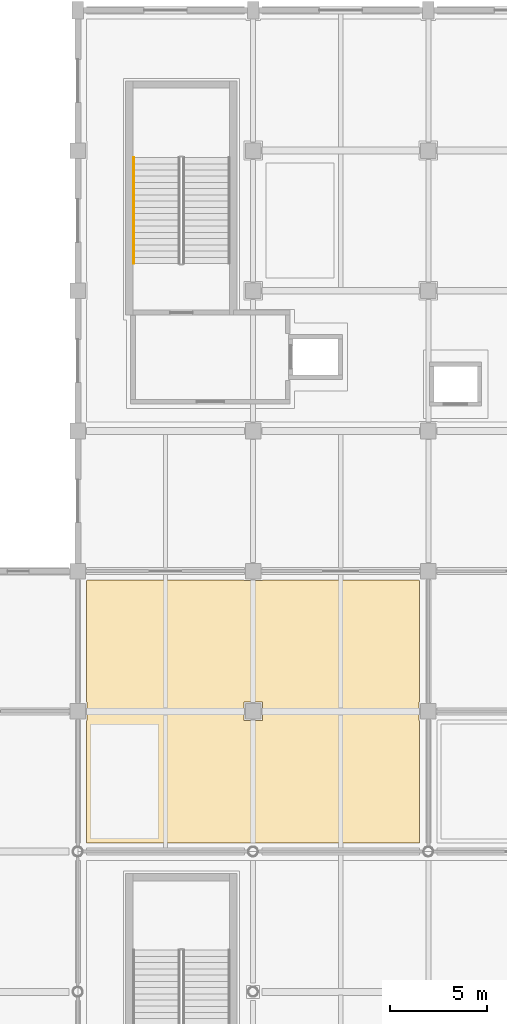
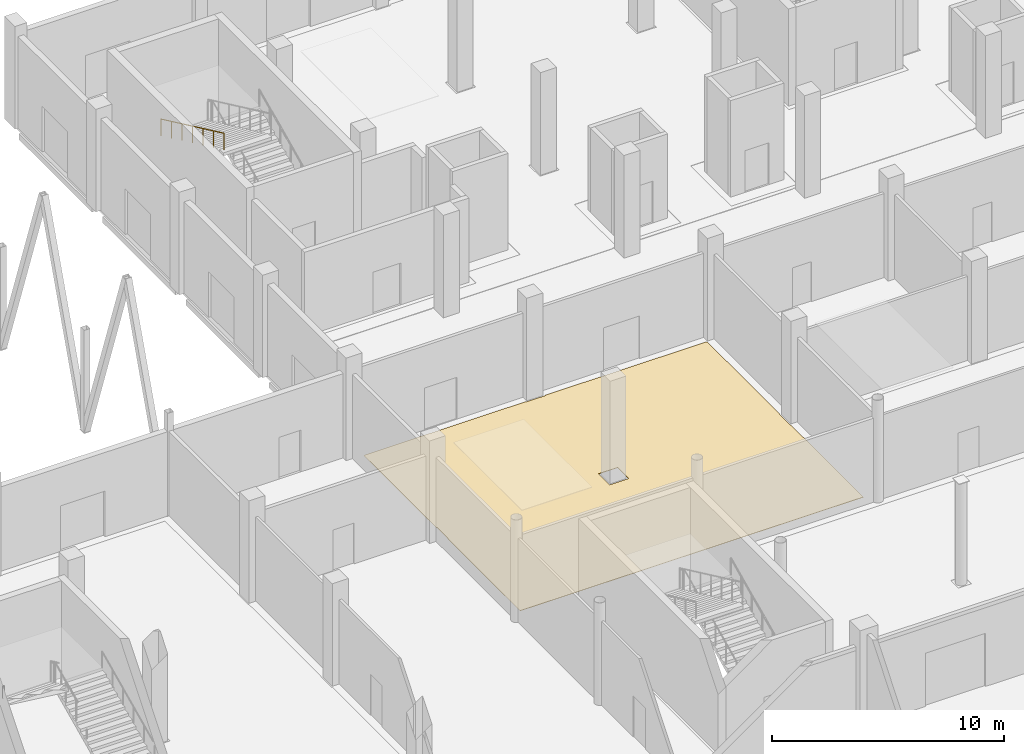
# One storey, part 127 of 137: 1 covering, 1 railing.
"""IFC4 building model written with IfcOpenShell, lengths in metres."""

from ifc_helpers import new_model, si_unit, direction, frame, origin, origin_2d, place, context, subcontext, project, spatial, polyline, circle, outline, extrude, material, layer, layer_set, type_object, element, save


model = new_model("IFC4")

# Units and contexts
model_context = context("Model", 3, precision=1e-05, world=origin(), true_north=direction((0.0, 1.0)))
body_context = subcontext(model_context, "Body", "Model", "MODEL_VIEW")
ifc_project = project(units=[si_unit("LENGTHUNIT", "METRE"), si_unit("AREAUNIT", "SQUARE_METRE"), si_unit("VOLUMEUNIT", "CUBIC_METRE"), si_unit("PLANEANGLEUNIT", "RADIAN"), si_unit("MASSUNIT", "GRAM", prefix="KILO")], contexts=[model_context])

# Site, building, storey
site_placement = place(None, origin())
site = spatial("IfcSite", under=ifc_project, at=site_placement, CompositionType="ELEMENT")
building_placement = place(site_placement, origin())
building = spatial("IfcBuilding", under=site, at=building_placement, Name="Celestram Park Convention Centre", CompositionType="ELEMENT")
storey_placement = place(building_placement, origin())
storey = spatial("IfcBuildingStorey", under=building, at=storey_placement, Name="L00", CompositionType="ELEMENT", Elevation=0.0)

# Covering
ifc_material_1 = material(Name="Polished Lakefront Aggregate Terrazzo Flooring", Category="concrete")
ifc_layer_1 = layer(ifc_material_1, 0.02001953125)
ifc_layer_set_1 = layer_set([ifc_layer_1], Name="Polished Lakefront Aggregate Terrazzo Flooring")
covering_type = type_object("IfcCoveringType", Name="ARC-COV-FLR020", PredefinedType="FLOORING", material=ifc_layer_set_1)
covering_placement = place(storey_placement, origin())
element("IfcCovering", 1, at=covering_placement, inside=storey, type_object=covering_type, Name="Civic Press Briefing Room terrazzo flooring", PredefinedType="FLOORING", context=body_context, shape_type="SweptSolid", body=[
    extrude(outline(polyline([(44.52197265625, 136.35009765625), (44.52197265625, 136.322021484375), (45.47802734375, 136.322021484375), (45.47802734375, 136.35009765625), (53.52197265625, 136.35009765625), (53.52197265625, 136.322021484375), (53.550048828125, 136.322021484375), (53.550048828125, 130.077880859375), (53.52197265625, 130.077880859375), (53.52197265625, 129.1220703125), (53.550048828125, 129.1220703125), (53.550048828125, 122.85009765625), (36.449951171875, 122.85009765625), (36.449951171875, 129.1220703125), (36.47802734375, 129.1220703125), (36.47802734375, 130.077880859375), (36.449951171875, 130.077880859375), (36.449951171875, 136.322021484375), (36.47802734375, 136.322021484375), (36.47802734375, 136.35009765625), (44.52197265625, 136.35009765625)]), holes=[polyline([(45.47802734375, 130.077880859375), (44.52197265625, 130.077880859375), (44.52197265625, 129.1220703125), (45.47802734375, 129.1220703125), (45.47802734375, 130.077880859375)])]), origin(), (0.0, 0.0, 1.0), 0.02001953125),
])

# Railing
ifc_material_2 = material(Name="Brushed Stainless Steel AISI 304", Category="steel")
ifc_layer_2 = layer(ifc_material_2, 0.048095703125)
ifc_layer_set_2 = layer_set([ifc_layer_2], Name="Brushed Stainless Steel AISI 304")
railing_type = type_object("IfcRailingType", Name="ARC-RL-HND915", PredefinedType="HANDRAIL", material=ifc_layer_set_2)
railing_placement = place(storey_placement, frame((38.8759765625, 158.0400390625, 2.85009765625)))
element("IfcRailing", 2, at=railing_placement, inside=storey, type_object=railing_type, Name="L00 ST-01 stair handrail 2", PredefinedType="HANDRAIL", context=body_context, shape_type="SweptSolid", body=[
    extrude(circle(Radius=0.02392578125, at=origin_2d()), frame((0.0, 0.0, 0.8759765625), z_axis=(0.0, -0.90546967238, 0.424410971113), x_axis=(1.0, 0.0, 0.0)), (0.0, 0.0, 1.0), 6.0078125),
    extrude(circle(Radius=0.02099609375, at=origin_2d()), origin(), (0.0, 0.0, 1.0), 0.851806640625),
    extrude(circle(Radius=0.02099609375, at=origin_2d()), frame((0.0, -0.90673828125, 0.425048828125)), (0.0, 0.0, 1.0), 0.851806640625),
    extrude(circle(Radius=0.02099609375, at=origin_2d()), frame((0.0, -1.813232421875, 0.849853515625)), (0.0, 0.0, 1.0), 0.851806640625),
    extrude(circle(Radius=0.02099609375, at=origin_2d()), frame((0.0, -2.719970703125, 1.27490234375)), (0.0, 0.0, 1.0), 0.851806640625),
    extrude(circle(Radius=0.02099609375, at=origin_2d()), frame((0.0, -3.626708984375, 1.699951171875)), (0.0, 0.0, 1.0), 0.851806640625),
    extrude(circle(Radius=0.02099609375, at=origin_2d()), frame((0.0, -4.533203125, 2.124755859375)), (0.0, 0.0, 1.0), 0.851806640625),
    extrude(circle(Radius=0.02099609375, at=origin_2d()), frame((0.0, -5.43994140625, 2.5498046875)), (0.0, 0.0, 1.0), 0.851806640625),
])

save(model, "model.ifc")
